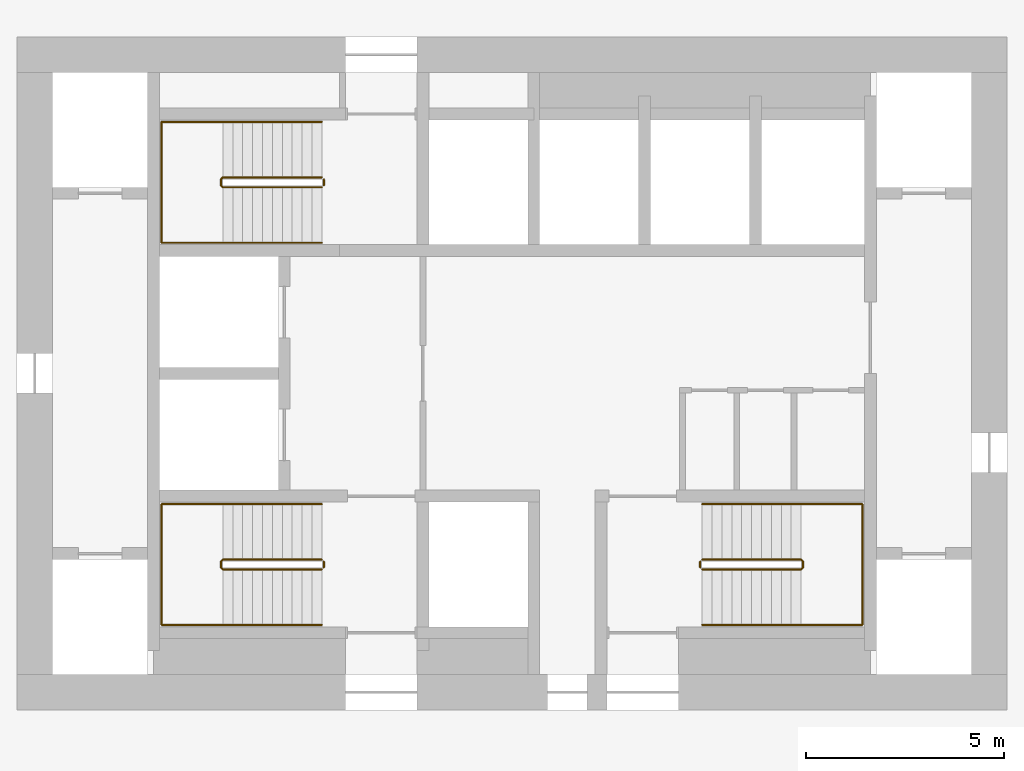
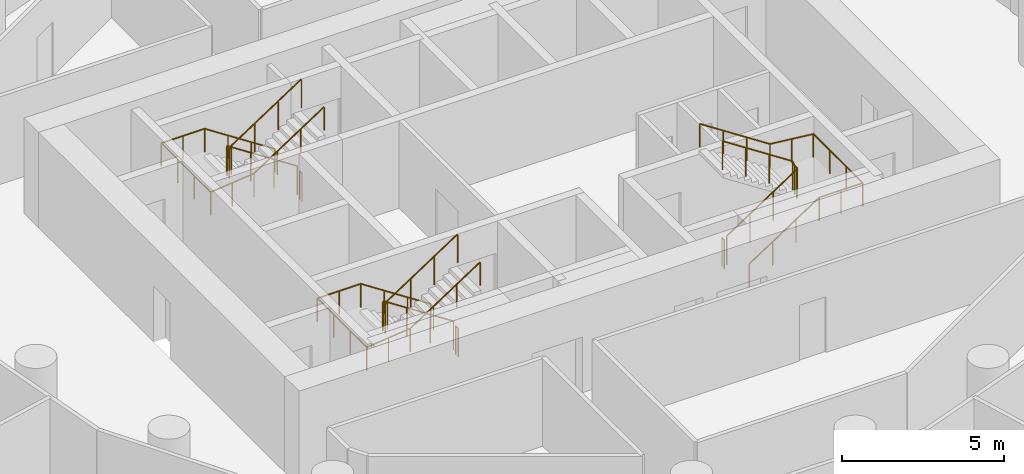
# One storey, part 9 of 9: 9 railings.
"""IFC4 building model written with IfcOpenShell, lengths in metres."""

from ifc_helpers import new_model, si_unit, direction, frame, origin, origin_2d, place, context, subcontext, project, spatial, circle, extrude, material, type_object, element, save


model = new_model("IFC4")

# Units and contexts
model_context = context("Model", 3, precision=1e-05, world=origin(), true_north=direction((0.0, 1.0)))
body_context = subcontext(model_context, "Body", "Model", "MODEL_VIEW")
ifc_project = project(units=[si_unit("LENGTHUNIT", "METRE"), si_unit("AREAUNIT", "SQUARE_METRE"), si_unit("VOLUMEUNIT", "CUBIC_METRE"), si_unit("PLANEANGLEUNIT", "RADIAN"), si_unit("MASSUNIT", "GRAM", prefix="KILO")], contexts=[model_context])

# Site, building, storey
site_placement = place(None, origin())
site = spatial("IfcSite", under=ifc_project, at=site_placement, CompositionType="ELEMENT")
building_placement = place(site_placement, origin())
building = spatial("IfcBuilding", under=site, at=building_placement, Name="Tracery Tower", CompositionType="ELEMENT")
storey_placement = place(building_placement, frame((0.0, 0.0, 162.0)))
storey = spatial("IfcBuildingStorey", under=building, at=storey_placement, Name="L41", CompositionType="ELEMENT", Elevation=162.0)

# Railings
ifc_material_1 = material(Name="Stainless steel and laminated glass", Category="steel")
railing_type_1 = type_object("IfcRailingType", Name="Stair guard 1100", PredefinedType="GUARDRAIL", material=ifc_material_1)
railing_1_placement = place(storey_placement, frame((-4.800048828125, -4.699951171875, 0.16357421875)))
element("IfcRailing", 1, at=railing_1_placement, inside=storey, type_object=railing_type_1, Name="L41 stair ST1 guard 1", PredefinedType="GUARDRAIL", context=body_context, shape_type="SweptSolid", body=[
    extrude(circle(Radius=0.02392578125, at=origin_2d()), frame((0.0, 0.0, 1.076171875), z_axis=(-0.83668449804, 0.0, 0.54768517484), x_axis=(0.0, -1.0, 0.0)), (0.0, 0.0, 1.0), 2.988037109375),
    extrude(circle(Radius=0.02392578125, at=origin_2d()), frame((-2.5, 0.0, 2.71240234375), z_axis=(-0.707106781187, -0.707106781187, 0.0), x_axis=(0.707106781187, -0.707106781187, 0.0)), (0.0, 0.0, 1.0), 0.07080078125),
    extrude(circle(Radius=0.02392578125, at=origin_2d()), frame((-2.550048828125, -0.050048828125, 2.71240234375), z_axis=(0.0, -1.0, 0.0), x_axis=(1.0, 0.0, 0.0)), (0.0, 0.0, 1.0), 0.14990234375),
    extrude(circle(Radius=0.02392578125, at=origin_2d()), frame((-2.550048828125, -0.199951171875, 2.71240234375), z_axis=(0.280808744504, -0.280808744504, 0.917765164963), x_axis=(0.707106781187, 0.707106781187, 0.0)), (0.0, 0.0, 1.0), 0.17822265625),
    extrude(circle(Radius=0.02392578125, at=origin_2d()), frame((-2.5, -0.25, 2.8759765625), z_axis=(0.83668449804, 0.0, 0.54768517484), x_axis=(0.0, 1.0, 0.0)), (0.0, 0.0, 1.0), 2.988037109375),
    extrude(circle(Radius=0.02099609375, at=origin_2d()), origin(), (0.0, 0.0, 1.0), 1.052001953125),
    extrude(circle(Radius=0.02099609375, at=origin_2d()), frame((-0.833251953125, 0.0, 0.54541015625)), (0.0, 0.0, 1.0), 1.052001953125),
    extrude(circle(Radius=0.02099609375, at=origin_2d()), frame((-1.666748046875, 0.0, 1.091064453125)), (0.0, 0.0, 1.0), 1.052001953125),
    extrude(circle(Radius=0.02099609375, at=origin_2d()), frame((-2.5, 0.0, 1.636474609375)), (0.0, 0.0, 1.0), 1.052001953125),
    extrude(circle(Radius=0.02099609375, at=origin_2d()), frame((-2.550048828125, -0.050048828125, 1.636474609375)), (0.0, 0.0, 1.0), 1.052001953125),
    extrude(circle(Radius=0.02099609375, at=origin_2d()), frame((-2.550048828125, -0.199951171875, 1.636474609375)), (0.0, 0.0, 1.0), 1.052001953125),
    extrude(circle(Radius=0.02099609375, at=origin_2d()), frame((-2.5, -0.25, 1.800048828125)), (0.0, 0.0, 1.0), 1.052001953125),
    extrude(circle(Radius=0.02099609375, at=origin_2d()), frame((-1.666748046875, -0.25, 2.345458984375)), (0.0, 0.0, 1.0), 1.052001953125),
    extrude(circle(Radius=0.02099609375, at=origin_2d()), frame((-0.833251953125, -0.25, 2.89111328125)), (0.0, 0.0, 1.0), 1.052001953125),
    extrude(circle(Radius=0.02099609375, at=origin_2d()), frame((0.0, -0.25, 3.4365234375)), (0.0, 0.0, 1.0), 1.052001953125),
])
railing_2_placement = place(storey_placement, frame((-4.75, -4.75, 0.0)))
element("IfcRailing", 2, at=railing_2_placement, inside=storey, type_object=railing_type_1, Name="L41 stair ST1 guard 2", PredefinedType="GUARDRAIL", context=body_context, shape_type="SweptSolid", body=[
    extrude(circle(Radius=0.02392578125, at=origin_2d()), frame((0.0, 0.0, 1.076171875), z_axis=(0.0, -1.0, 0.0), x_axis=(1.0, 0.0, 0.0)), (0.0, 0.0, 1.0), 0.14990234375),
    extrude(circle(Radius=0.02099609375, at=origin_2d()), origin(), (0.0, 0.0, 1.0), 1.052001953125),
    extrude(circle(Radius=0.02099609375, at=origin_2d()), frame((0.0, -0.14990234375, 0.0)), (0.0, 0.0, 1.0), 1.052001953125),
])
railing_3_placement = place(storey_placement, frame((-4.800048828125, 4.949951171875, 0.16357421875)))
element("IfcRailing", 3, at=railing_3_placement, inside=storey, type_object=railing_type_1, Name="L41 stair ST3 guard 1", PredefinedType="GUARDRAIL", context=body_context, shape_type="SweptSolid", body=[
    extrude(circle(Radius=0.02392578125, at=origin_2d()), frame((0.0, 0.0, 1.076171875), z_axis=(-0.83668449804, 0.0, 0.54768517484), x_axis=(0.0, -1.0, 0.0)), (0.0, 0.0, 1.0), 2.988037109375),
    extrude(circle(Radius=0.02392578125, at=origin_2d()), frame((-2.5, 0.0, 2.71240234375), z_axis=(-0.707106781187, -0.707106781187, 0.0), x_axis=(0.707106781187, -0.707106781187, 0.0)), (0.0, 0.0, 1.0), 0.07080078125),
    extrude(circle(Radius=0.02392578125, at=origin_2d()), frame((-2.550048828125, -0.050048828125, 2.71240234375), z_axis=(0.0, -1.0, 0.0), x_axis=(1.0, 0.0, 0.0)), (0.0, 0.0, 1.0), 0.14990234375),
    extrude(circle(Radius=0.02392578125, at=origin_2d()), frame((-2.550048828125, -0.199951171875, 2.71240234375), z_axis=(0.280808744504, -0.280808744504, 0.917765164963), x_axis=(0.707106781187, 0.707106781187, 0.0)), (0.0, 0.0, 1.0), 0.17822265625),
    extrude(circle(Radius=0.02392578125, at=origin_2d()), frame((-2.5, -0.25, 2.8759765625), z_axis=(0.83668449804, 0.0, 0.54768517484), x_axis=(0.0, 1.0, 0.0)), (0.0, 0.0, 1.0), 2.988037109375),
    extrude(circle(Radius=0.02099609375, at=origin_2d()), origin(), (0.0, 0.0, 1.0), 1.052001953125),
    extrude(circle(Radius=0.02099609375, at=origin_2d()), frame((-0.833251953125, 0.0, 0.54541015625)), (0.0, 0.0, 1.0), 1.052001953125),
    extrude(circle(Radius=0.02099609375, at=origin_2d()), frame((-1.666748046875, 0.0, 1.091064453125)), (0.0, 0.0, 1.0), 1.052001953125),
    extrude(circle(Radius=0.02099609375, at=origin_2d()), frame((-2.5, 0.0, 1.636474609375)), (0.0, 0.0, 1.0), 1.052001953125),
    extrude(circle(Radius=0.02099609375, at=origin_2d()), frame((-2.550048828125, -0.050048828125, 1.636474609375)), (0.0, 0.0, 1.0), 1.052001953125),
    extrude(circle(Radius=0.02099609375, at=origin_2d()), frame((-2.550048828125, -0.199951171875, 1.636474609375)), (0.0, 0.0, 1.0), 1.052001953125),
    extrude(circle(Radius=0.02099609375, at=origin_2d()), frame((-2.5, -0.25, 1.800048828125)), (0.0, 0.0, 1.0), 1.052001953125),
    extrude(circle(Radius=0.02099609375, at=origin_2d()), frame((-1.666748046875, -0.25, 2.345458984375)), (0.0, 0.0, 1.0), 1.052001953125),
    extrude(circle(Radius=0.02099609375, at=origin_2d()), frame((-0.833251953125, -0.25, 2.89111328125)), (0.0, 0.0, 1.0), 1.052001953125),
    extrude(circle(Radius=0.02099609375, at=origin_2d()), frame((0.0, -0.25, 3.4365234375)), (0.0, 0.0, 1.0), 1.052001953125),
])
railing_4_placement = place(storey_placement, frame((-4.75, 4.89990234375, 0.0)))
element("IfcRailing", 4, at=railing_4_placement, inside=storey, type_object=railing_type_1, Name="L41 stair ST3 guard 2", PredefinedType="GUARDRAIL", context=body_context, shape_type="SweptSolid", body=[
    extrude(circle(Radius=0.02392578125, at=origin_2d()), frame((0.0, 0.0, 1.076171875), z_axis=(0.0, -1.0, 0.0), x_axis=(1.0, 0.0, 0.0)), (0.0, 0.0, 1.0), 0.14990234375),
    extrude(circle(Radius=0.02099609375, at=origin_2d()), origin(), (0.0, 0.0, 1.0), 1.052001953125),
    extrude(circle(Radius=0.02099609375, at=origin_2d()), frame((0.0, -0.14990234375, 0.0)), (0.0, 0.0, 1.0), 1.052001953125),
])
railing_5_placement = place(storey_placement, frame((4.800048828125, -4.949951171875, 0.16357421875)))
element("IfcRailing", 5, at=railing_5_placement, inside=storey, type_object=railing_type_1, Name="L41 stair ST2 guard 1", PredefinedType="GUARDRAIL", context=body_context, shape_type="SweptSolid", body=[
    extrude(circle(Radius=0.02392578125, at=origin_2d()), frame((0.0, 0.0, 1.076171875), z_axis=(0.83668449804, 0.0, 0.54768517484), x_axis=(0.0, 1.0, 0.0)), (0.0, 0.0, 1.0), 2.988037109375),
    extrude(circle(Radius=0.02392578125, at=origin_2d()), frame((2.5, 0.0, 2.71240234375), z_axis=(0.707106781187, 0.707106781187, 0.0), x_axis=(-0.707106781187, 0.707106781187, 0.0)), (0.0, 0.0, 1.0), 0.07080078125),
    extrude(circle(Radius=0.02392578125, at=origin_2d()), frame((2.550048828125, 0.050048828125, 2.71240234375), z_axis=(0.0, 1.0, 0.0), x_axis=(-1.0, 0.0, 0.0)), (0.0, 0.0, 1.0), 0.14990234375),
    extrude(circle(Radius=0.02392578125, at=origin_2d()), frame((2.550048828125, 0.199951171875, 2.71240234375), z_axis=(-0.280808744504, 0.280808744504, 0.917765164963), x_axis=(-0.707106781187, -0.707106781187, 0.0)), (0.0, 0.0, 1.0), 0.17822265625),
    extrude(circle(Radius=0.02392578125, at=origin_2d()), frame((2.5, 0.25, 2.8759765625), z_axis=(-0.83668449804, 0.0, 0.54768517484), x_axis=(0.0, -1.0, 0.0)), (0.0, 0.0, 1.0), 2.988037109375),
    extrude(circle(Radius=0.02099609375, at=origin_2d()), origin(), (0.0, 0.0, 1.0), 1.052001953125),
    extrude(circle(Radius=0.02099609375, at=origin_2d()), frame((0.833251953125, 0.0, 0.54541015625)), (0.0, 0.0, 1.0), 1.052001953125),
    extrude(circle(Radius=0.02099609375, at=origin_2d()), frame((1.666748046875, 0.0, 1.091064453125)), (0.0, 0.0, 1.0), 1.052001953125),
    extrude(circle(Radius=0.02099609375, at=origin_2d()), frame((2.5, 0.0, 1.636474609375)), (0.0, 0.0, 1.0), 1.052001953125),
    extrude(circle(Radius=0.02099609375, at=origin_2d()), frame((2.550048828125, 0.050048828125, 1.636474609375)), (0.0, 0.0, 1.0), 1.052001953125),
    extrude(circle(Radius=0.02099609375, at=origin_2d()), frame((2.550048828125, 0.199951171875, 1.636474609375)), (0.0, 0.0, 1.0), 1.052001953125),
    extrude(circle(Radius=0.02099609375, at=origin_2d()), frame((2.5, 0.25, 1.800048828125)), (0.0, 0.0, 1.0), 1.052001953125),
    extrude(circle(Radius=0.02099609375, at=origin_2d()), frame((1.666748046875, 0.25, 2.345458984375)), (0.0, 0.0, 1.0), 1.052001953125),
    extrude(circle(Radius=0.02099609375, at=origin_2d()), frame((0.833251953125, 0.25, 2.89111328125)), (0.0, 0.0, 1.0), 1.052001953125),
    extrude(circle(Radius=0.02099609375, at=origin_2d()), frame((0.0, 0.25, 3.4365234375)), (0.0, 0.0, 1.0), 1.052001953125),
])
railing_6_placement = place(storey_placement, frame((4.75, -4.89990234375, 0.0)))
element("IfcRailing", 6, at=railing_6_placement, inside=storey, type_object=railing_type_1, Name="L41 stair ST2 guard 2", PredefinedType="GUARDRAIL", context=body_context, shape_type="SweptSolid", body=[
    extrude(circle(Radius=0.02392578125, at=origin_2d()), frame((0.0, 0.0, 1.076171875), z_axis=(0.0, 1.0, 0.0), x_axis=(-1.0, 0.0, 0.0)), (0.0, 0.0, 1.0), 0.14990234375),
    extrude(circle(Radius=0.02099609375, at=origin_2d()), origin(), (0.0, 0.0, 1.0), 1.052001953125),
    extrude(circle(Radius=0.02099609375, at=origin_2d()), frame((0.0, 0.14990234375, 0.0)), (0.0, 0.0, 1.0), 1.052001953125),
])
ifc_material_2 = material(Name="Stainless steel and laminated glass", Category="steel")
railing_type_2 = type_object("IfcRailingType", Name="Stair handrail 900", PredefinedType="HANDRAIL", material=ifc_material_2)
railing_7_placement = place(storey_placement, frame((-4.800048828125, -3.300048828125, 0.16357421875)))
element("IfcRailing", 7, at=railing_7_placement, inside=storey, type_object=railing_type_2, Name="L41 stair ST1 handrail 1", PredefinedType="HANDRAIL", context=body_context, shape_type="SweptSolid", body=[
    extrude(circle(Radius=0.02392578125, at=origin_2d()), frame((0.0, 0.0, 0.8759765625), z_axis=(-0.83668449804, 0.0, 0.54768517484), x_axis=(0.0, -1.0, 0.0)), (0.0, 0.0, 1.0), 2.988037109375),
    extrude(circle(Radius=0.02392578125, at=origin_2d()), frame((-2.5, 0.0, 2.51220703125), z_axis=(-1.0, 0.0, 0.0), x_axis=(0.0, -1.0, 0.0)), (0.0, 0.0, 1.0), 1.550048828125),
    extrude(circle(Radius=0.02392578125, at=origin_2d()), frame((-4.050048828125, 0.0, 2.51220703125), z_axis=(0.0, -1.0, 0.0), x_axis=(1.0, 0.0, 0.0)), (0.0, 0.0, 1.0), 3.050048828125),
    extrude(circle(Radius=0.02392578125, at=origin_2d()), frame((-4.050048828125, -3.050048828125, 2.51220703125), z_axis=(0.994477953863, 0.0, 0.104945696817), x_axis=(0.0, 1.0, 0.0)), (0.0, 0.0, 1.0), 1.55859375),
    extrude(circle(Radius=0.02392578125, at=origin_2d()), frame((-2.5, -3.050048828125, 2.67578125), z_axis=(0.83668449804, 0.0, 0.54768517484), x_axis=(0.0, 1.0, 0.0)), (0.0, 0.0, 1.0), 2.988037109375),
    extrude(circle(Radius=0.02099609375, at=origin_2d()), origin(), (0.0, 0.0, 1.0), 0.851806640625),
    extrude(circle(Radius=0.02099609375, at=origin_2d()), frame((-0.833251953125, 0.0, 0.54541015625)), (0.0, 0.0, 1.0), 0.851806640625),
    extrude(circle(Radius=0.02099609375, at=origin_2d()), frame((-1.666748046875, 0.0, 1.091064453125)), (0.0, 0.0, 1.0), 0.851806640625),
    extrude(circle(Radius=0.02099609375, at=origin_2d()), frame((-2.5, 0.0, 1.636474609375)), (0.0, 0.0, 1.0), 0.851806640625),
    extrude(circle(Radius=0.02099609375, at=origin_2d()), frame((-3.27490234375, 0.0, 1.636474609375)), (0.0, 0.0, 1.0), 0.851806640625),
    extrude(circle(Radius=0.02099609375, at=origin_2d()), frame((-4.050048828125, 0.0, 1.636474609375)), (0.0, 0.0, 1.0), 0.851806640625),
    extrude(circle(Radius=0.02099609375, at=origin_2d()), frame((-4.050048828125, -1.0166015625, 1.636474609375)), (0.0, 0.0, 1.0), 0.851806640625),
    extrude(circle(Radius=0.02099609375, at=origin_2d()), frame((-4.050048828125, -2.033447265625, 1.636474609375)), (0.0, 0.0, 1.0), 0.851806640625),
    extrude(circle(Radius=0.02099609375, at=origin_2d()), frame((-4.050048828125, -3.050048828125, 1.636474609375)), (0.0, 0.0, 1.0), 0.851806640625),
    extrude(circle(Radius=0.02099609375, at=origin_2d()), frame((-3.27490234375, -3.050048828125, 1.71826171875)), (0.0, 0.0, 1.0), 0.851806640625),
    extrude(circle(Radius=0.02099609375, at=origin_2d()), frame((-2.5, -3.050048828125, 1.800048828125)), (0.0, 0.0, 1.0), 0.851806640625),
    extrude(circle(Radius=0.02099609375, at=origin_2d()), frame((-1.666748046875, -3.050048828125, 2.345458984375)), (0.0, 0.0, 1.0), 0.851806640625),
    extrude(circle(Radius=0.02099609375, at=origin_2d()), frame((-0.833251953125, -3.050048828125, 2.89111328125)), (0.0, 0.0, 1.0), 0.851806640625),
    extrude(circle(Radius=0.02099609375, at=origin_2d()), frame((0.0, -3.050048828125, 3.4365234375)), (0.0, 0.0, 1.0), 0.851806640625),
])
railing_8_placement = place(storey_placement, frame((-4.800048828125, 6.35009765625, 0.16357421875)))
element("IfcRailing", 8, at=railing_8_placement, inside=storey, type_object=railing_type_2, Name="L41 stair ST3 handrail 1", PredefinedType="HANDRAIL", context=body_context, shape_type="SweptSolid", body=[
    extrude(circle(Radius=0.02392578125, at=origin_2d()), frame((0.0, 0.0, 0.8759765625), z_axis=(-0.83668449804, 0.0, 0.54768517484), x_axis=(0.0, -1.0, 0.0)), (0.0, 0.0, 1.0), 2.988037109375),
    extrude(circle(Radius=0.02392578125, at=origin_2d()), frame((-2.5, 0.0, 2.51220703125), z_axis=(-1.0, 0.0, 0.0), x_axis=(0.0, -1.0, 0.0)), (0.0, 0.0, 1.0), 1.550048828125),
    extrude(circle(Radius=0.02392578125, at=origin_2d()), frame((-4.050048828125, 0.0, 2.51220703125), z_axis=(0.0, -1.0, 0.0), x_axis=(1.0, 0.0, 0.0)), (0.0, 0.0, 1.0), 3.050048828125),
    extrude(circle(Radius=0.02392578125, at=origin_2d()), frame((-4.050048828125, -3.050048828125, 2.51220703125), z_axis=(0.994477953863, 0.0, 0.104945696817), x_axis=(0.0, 1.0, 0.0)), (0.0, 0.0, 1.0), 1.55859375),
    extrude(circle(Radius=0.02392578125, at=origin_2d()), frame((-2.5, -3.050048828125, 2.67578125), z_axis=(0.83668449804, 0.0, 0.54768517484), x_axis=(0.0, 1.0, 0.0)), (0.0, 0.0, 1.0), 2.988037109375),
    extrude(circle(Radius=0.02099609375, at=origin_2d()), origin(), (0.0, 0.0, 1.0), 0.851806640625),
    extrude(circle(Radius=0.02099609375, at=origin_2d()), frame((-0.833251953125, 0.0, 0.54541015625)), (0.0, 0.0, 1.0), 0.851806640625),
    extrude(circle(Radius=0.02099609375, at=origin_2d()), frame((-1.666748046875, 0.0, 1.091064453125)), (0.0, 0.0, 1.0), 0.851806640625),
    extrude(circle(Radius=0.02099609375, at=origin_2d()), frame((-2.5, 0.0, 1.636474609375)), (0.0, 0.0, 1.0), 0.851806640625),
    extrude(circle(Radius=0.02099609375, at=origin_2d()), frame((-3.27490234375, 0.0, 1.636474609375)), (0.0, 0.0, 1.0), 0.851806640625),
    extrude(circle(Radius=0.02099609375, at=origin_2d()), frame((-4.050048828125, 0.0, 1.636474609375)), (0.0, 0.0, 1.0), 0.851806640625),
    extrude(circle(Radius=0.02099609375, at=origin_2d()), frame((-4.050048828125, -1.0166015625, 1.636474609375)), (0.0, 0.0, 1.0), 0.851806640625),
    extrude(circle(Radius=0.02099609375, at=origin_2d()), frame((-4.050048828125, -2.033447265625, 1.636474609375)), (0.0, 0.0, 1.0), 0.851806640625),
    extrude(circle(Radius=0.02099609375, at=origin_2d()), frame((-4.050048828125, -3.050048828125, 1.636474609375)), (0.0, 0.0, 1.0), 0.851806640625),
    extrude(circle(Radius=0.02099609375, at=origin_2d()), frame((-3.27490234375, -3.050048828125, 1.71826171875)), (0.0, 0.0, 1.0), 0.851806640625),
    extrude(circle(Radius=0.02099609375, at=origin_2d()), frame((-2.5, -3.050048828125, 1.800048828125)), (0.0, 0.0, 1.0), 0.851806640625),
    extrude(circle(Radius=0.02099609375, at=origin_2d()), frame((-1.666748046875, -3.050048828125, 2.345458984375)), (0.0, 0.0, 1.0), 0.851806640625),
    extrude(circle(Radius=0.02099609375, at=origin_2d()), frame((-0.833251953125, -3.050048828125, 2.89111328125)), (0.0, 0.0, 1.0), 0.851806640625),
    extrude(circle(Radius=0.02099609375, at=origin_2d()), frame((0.0, -3.050048828125, 3.4365234375)), (0.0, 0.0, 1.0), 0.851806640625),
])
railing_9_placement = place(storey_placement, frame((4.800048828125, -6.35009765625, 0.16357421875)))
element("IfcRailing", 9, at=railing_9_placement, inside=storey, type_object=railing_type_2, Name="L41 stair ST2 handrail 1", PredefinedType="HANDRAIL", context=body_context, shape_type="SweptSolid", body=[
    extrude(circle(Radius=0.02392578125, at=origin_2d()), frame((0.0, 0.0, 0.8759765625), z_axis=(0.83668449804, 0.0, 0.54768517484), x_axis=(0.0, 1.0, 0.0)), (0.0, 0.0, 1.0), 2.988037109375),
    extrude(circle(Radius=0.02392578125, at=origin_2d()), frame((2.5, 0.0, 2.51220703125), z_axis=(1.0, 0.0, 0.0), x_axis=(0.0, 1.0, 0.0)), (0.0, 0.0, 1.0), 1.550048828125),
    extrude(circle(Radius=0.02392578125, at=origin_2d()), frame((4.050048828125, 0.0, 2.51220703125), z_axis=(0.0, 1.0, 0.0), x_axis=(-1.0, 0.0, 0.0)), (0.0, 0.0, 1.0), 3.050048828125),
    extrude(circle(Radius=0.02392578125, at=origin_2d()), frame((4.050048828125, 3.050048828125, 2.51220703125), z_axis=(-0.994477953863, 0.0, 0.104945696817), x_axis=(0.0, -1.0, 0.0)), (0.0, 0.0, 1.0), 1.55859375),
    extrude(circle(Radius=0.02392578125, at=origin_2d()), frame((2.5, 3.050048828125, 2.67578125), z_axis=(-0.83668449804, 0.0, 0.54768517484), x_axis=(0.0, -1.0, 0.0)), (0.0, 0.0, 1.0), 2.988037109375),
    extrude(circle(Radius=0.02099609375, at=origin_2d()), origin(), (0.0, 0.0, 1.0), 0.851806640625),
    extrude(circle(Radius=0.02099609375, at=origin_2d()), frame((0.833251953125, 0.0, 0.54541015625)), (0.0, 0.0, 1.0), 0.851806640625),
    extrude(circle(Radius=0.02099609375, at=origin_2d()), frame((1.666748046875, 0.0, 1.091064453125)), (0.0, 0.0, 1.0), 0.851806640625),
    extrude(circle(Radius=0.02099609375, at=origin_2d()), frame((2.5, 0.0, 1.636474609375)), (0.0, 0.0, 1.0), 0.851806640625),
    extrude(circle(Radius=0.02099609375, at=origin_2d()), frame((3.27490234375, 0.0, 1.636474609375)), (0.0, 0.0, 1.0), 0.851806640625),
    extrude(circle(Radius=0.02099609375, at=origin_2d()), frame((4.050048828125, 0.0, 1.636474609375)), (0.0, 0.0, 1.0), 0.851806640625),
    extrude(circle(Radius=0.02099609375, at=origin_2d()), frame((4.050048828125, 1.0166015625, 1.636474609375)), (0.0, 0.0, 1.0), 0.851806640625),
    extrude(circle(Radius=0.02099609375, at=origin_2d()), frame((4.050048828125, 2.033447265625, 1.636474609375)), (0.0, 0.0, 1.0), 0.851806640625),
    extrude(circle(Radius=0.02099609375, at=origin_2d()), frame((4.050048828125, 3.050048828125, 1.636474609375)), (0.0, 0.0, 1.0), 0.851806640625),
    extrude(circle(Radius=0.02099609375, at=origin_2d()), frame((3.27490234375, 3.050048828125, 1.71826171875)), (0.0, 0.0, 1.0), 0.851806640625),
    extrude(circle(Radius=0.02099609375, at=origin_2d()), frame((2.5, 3.050048828125, 1.800048828125)), (0.0, 0.0, 1.0), 0.851806640625),
    extrude(circle(Radius=0.02099609375, at=origin_2d()), frame((1.666748046875, 3.050048828125, 2.345458984375)), (0.0, 0.0, 1.0), 0.851806640625),
    extrude(circle(Radius=0.02099609375, at=origin_2d()), frame((0.833251953125, 3.050048828125, 2.89111328125)), (0.0, 0.0, 1.0), 0.851806640625),
    extrude(circle(Radius=0.02099609375, at=origin_2d()), frame((0.0, 3.050048828125, 3.4365234375)), (0.0, 0.0, 1.0), 0.851806640625),
])

save(model, "model.ifc")
